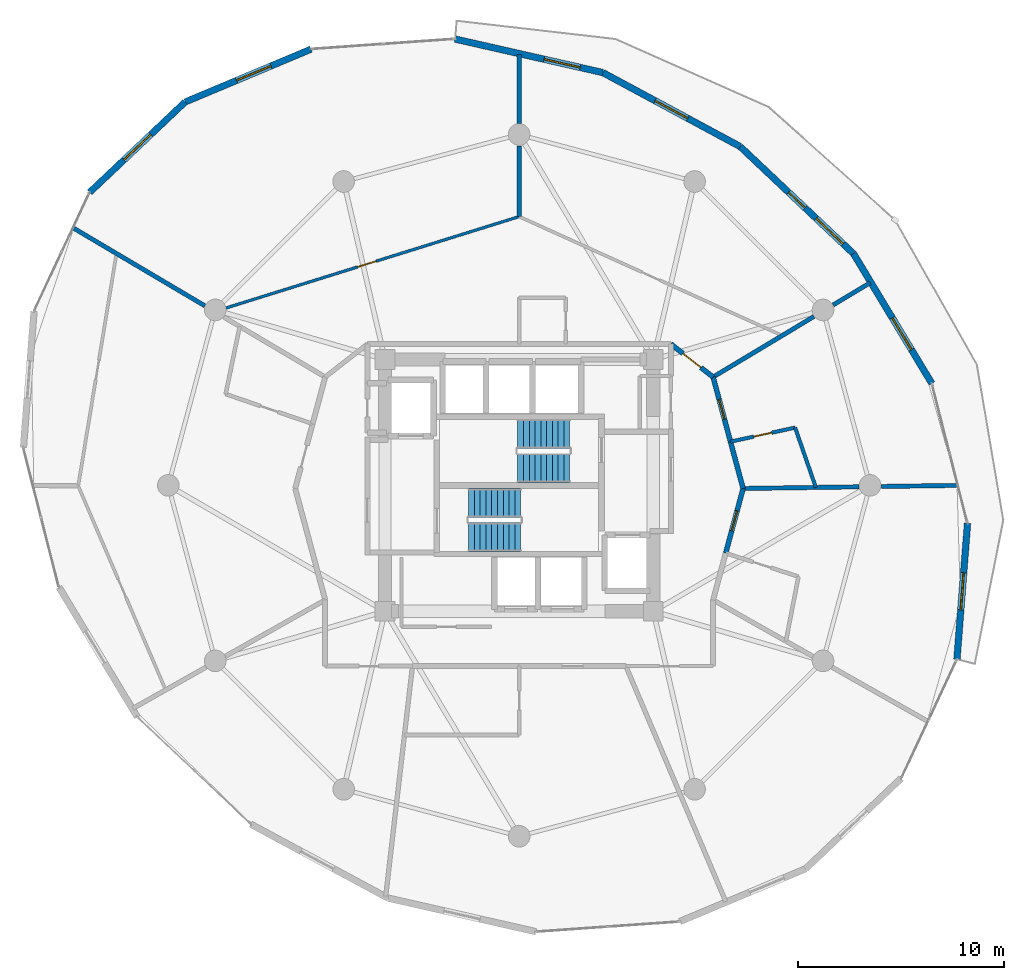
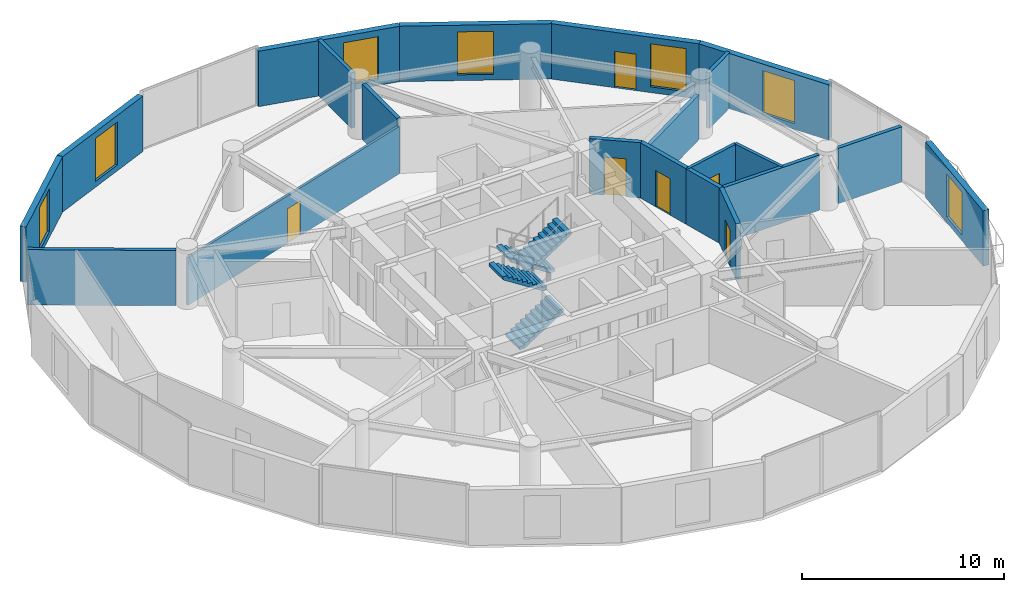
# One storey, part 22 of 25: 21 walls, 7 windows, 6 doors, 4 stair flights, 13 openings, 2 elements without a shape of their own.
"""IFC4 building model written with IfcOpenShell, lengths in metres."""

from ifc_helpers import new_model, si_unit, direction, frame, frame_2d, origin, place, context, subcontext, project, spatial, polyline, rectangle, outline, extrude, material, layer, layer_set, type_object, element, fill, aggregate, save


model = new_model("IFC4")

# Units and contexts
model_context = context("Model", 3, precision=1e-05, world=origin(), true_north=direction((0.0, 1.0)))
body_context = subcontext(model_context, "Body", "Model", "MODEL_VIEW")
ifc_project = project(units=[si_unit("LENGTHUNIT", "METRE"), si_unit("AREAUNIT", "SQUARE_METRE"), si_unit("VOLUMEUNIT", "CUBIC_METRE"), si_unit("PLANEANGLEUNIT", "RADIAN"), si_unit("MASSUNIT", "GRAM", prefix="KILO")], contexts=[model_context])

# Site, building, storey
site_placement = place(None, origin())
site = spatial("IfcSite", under=ifc_project, at=site_placement, CompositionType="ELEMENT")
building_placement = place(site_placement, origin())
building = spatial("IfcBuilding", under=site, at=building_placement, Name="Solvirekh Grand Hotel", CompositionType="ELEMENT")
storey_placement = place(building_placement, frame((0.0, 0.0, 120.60009765625)))
storey = spatial("IfcBuildingStorey", under=building, at=storey_placement, Name="L30", CompositionType="ELEMENT", Elevation=120.60009765625)

# Wall, opening, window
ifc_material_1 = material(Name="Precast concrete C45/55", Category="concrete")
ifc_layer_1 = layer(ifc_material_1, 0.320068359375)
ifc_layer_set_1 = layer_set([ifc_layer_1], Name="Precast concrete C45/55")
wall_type_1 = type_object("IfcWallType", Name="ExtLobbyWall_RC320", PredefinedType="SOLIDWALL", material=ifc_layer_set_1)
wall_1_placement = place(storey_placement, frame((21.722900390625, -1.837890625, 0.0), z_axis=(0.0, 0.0, 1.0), x_axis=(-0.077566011703, -0.996987218488, 0.0)))
wall_1 = element("IfcWall", 1, at=wall_1_placement, inside=storey, type_object=wall_type_1, Name="L30 exterior structural wall chord 2", PredefinedType="SOLIDWALL", context=body_context, shape_type="SweptSolid", body=[
    extrude(rectangle(XDim=6.613037109375, YDim=0.320068359375, at=frame_2d((3.306640625, 0.0))), origin(), (0.0, 0.0, 1.0), 3.349853515625),
])
opening_1_placement = place(wall_1_placement, frame((2.406005859375, 0.0, 0.35009765625)))
opening_1 = element("IfcOpeningElement", 2, at=opening_1_placement, cuts=wall_1, Name="Opening W02", PredefinedType="OPENING", context=body_context, shape_type="SweptSolid", body=[
    extrude(rectangle(XDim=1.800048828125, YDim=2.60009765625, at=frame_2d((0.89990234375, 1.300048828125))), frame((0.0, 0.169921875, 0.0), z_axis=(0.0, -1.0, 0.0), x_axis=(1.0, 0.0, 0.0)), (0.0, 0.0, 1.0), 0.340087890625),
])
ifc_material_2 = material(Name="Low-E Tinted Bronze Laminated Glass", Category="aluminium")
window_type = type_object("IfcWindowType", Name="Win_LobbyExt_1800X2600", PartitioningType="SINGLE_PANEL", PredefinedType="WINDOW", material=ifc_material_2)
window_1_placement = place(opening_1_placement, origin())
window_1 = element("IfcWindow", 3, at=window_1_placement, inside=storey, type_object=window_type, Name="L30 panoramic bronze-framed window 2", OverallHeight=2.60009765625, OverallWidth=1.800048828125, PartitioningType="SINGLE_PANEL", PredefinedType="WINDOW", context=body_context, shape_type="SweptSolid", body=[
    extrude(rectangle(XDim=1.800048828125, YDim=2.60009765625, at=frame_2d((0.89990234375, 1.300048828125))), frame((0.0, 0.030029296875, 0.0), z_axis=(0.0, -1.0, 0.0), x_axis=(1.0, 0.0, 0.0)), (0.0, 0.0, 1.0), 0.06005859375),
])
fill(opening_1, window_1)

wall_2_placement = place(storey_placement, frame((16.200927734375, 11.22509765625, 0.0), z_axis=(0.0, 0.0, 1.0), x_axis=(0.516707807554, -0.856161808079, 0.0)))
wall_2 = element("IfcWall", 4, at=wall_2_placement, inside=storey, type_object=wall_type_1, Name="L30 exterior structural wall chord 4", PredefinedType="SOLIDWALL", context=body_context, shape_type="SweptSolid", body=[
    extrude(rectangle(XDim=7.3466796875, YDim=0.320068359375, at=frame_2d((3.67333984375, 0.0))), origin(), (0.0, 0.0, 1.0), 3.349853515625),
])
opening_2_placement = place(wall_2_placement, frame((3.634033203125, 0.0, 0.35009765625)))
opening_2 = element("IfcOpeningElement", 5, at=opening_2_placement, cuts=wall_2, Name="Opening W02", PredefinedType="OPENING", context=body_context, shape_type="SweptSolid", body=[
    extrude(rectangle(XDim=1.800048828125, YDim=2.60009765625, at=frame_2d((0.89990234375, 1.300048828125))), frame((0.0, 0.169921875, 0.0), z_axis=(0.0, -1.0, 0.0), x_axis=(1.0, 0.0, 0.0)), (0.0, 0.0, 1.0), 0.340087890625),
])
window_2_placement = place(opening_2_placement, origin())
window_2 = element("IfcWindow", 6, at=window_2_placement, inside=storey, type_object=window_type, Name="L30 panoramic bronze-framed window 4", OverallHeight=2.60009765625, OverallWidth=1.800048828125, PartitioningType="SINGLE_PANEL", PredefinedType="WINDOW", context=body_context, shape_type="SweptSolid", body=[
    extrude(rectangle(XDim=1.800048828125, YDim=2.60009765625, at=frame_2d((0.89990234375, 1.300048828125))), frame((0.0, 0.030029296875, 0.0), z_axis=(0.0, -1.0, 0.0), x_axis=(1.0, 0.0, 0.0)), (0.0, 0.0, 1.0), 0.06005859375),
])
fill(opening_2, window_2)

# Wall, openings, door, window
wall_3_placement = place(storey_placement, frame((10.70703125, 16.416015625, 0.0), z_axis=(0.0, 0.0, 1.0), x_axis=(0.726865331795, -0.686780015314, 0.0)))
wall_3 = element("IfcWall", 7, at=wall_3_placement, inside=storey, type_object=wall_type_1, Name="L30 exterior structural wall chord 5", PredefinedType="SOLIDWALL", context=body_context, shape_type="SweptSolid", body=[
    extrude(rectangle(XDim=7.558349609375, YDim=0.320068359375, at=frame_2d((3.779296875, 0.0))), origin(), (0.0, 0.0, 1.0), 3.349853515625),
])
opening_3_placement = place(wall_3_placement, frame((5.069091796875, 0.0, 0.35009765625)))
opening_3 = element("IfcOpeningElement", 8, at=opening_3_placement, cuts=wall_3, Name="Opening W02", PredefinedType="OPENING", context=body_context, shape_type="SweptSolid", body=[
    extrude(rectangle(XDim=1.800048828125, YDim=2.60009765625, at=frame_2d((0.89990234375, 1.300048828125))), frame((0.0, 0.169921875, 0.0), z_axis=(0.0, -1.0, 0.0), x_axis=(1.0, 0.0, 0.0)), (0.0, 0.0, 1.0), 0.340087890625),
])
opening_4_placement = place(wall_3_placement, frame((3.22900390625, 0.0, 0.0)))
opening_4 = element("IfcOpeningElement", 9, at=opening_4_placement, cuts=wall_3, Name="Opening D03", PredefinedType="OPENING", context=body_context, shape_type="SweptSolid", body=[
    extrude(rectangle(XDim=1.10009765625, YDim=2.199951171875, at=frame_2d((0.550048828125, 1.10009765625))), frame((0.0, 0.169921875, 0.0), z_axis=(0.0, -1.0, 0.0), x_axis=(1.0, 0.0, 0.0)), (0.0, 0.0, 1.0), 0.340087890625),
])
ifc_material_3 = material(Name="Anodized Bronze Aluminium 6063-T6", Category="aluminium")
door_type_1 = type_object("IfcDoorType", Name="Door_ExtBalcony_1100X2200", OperationType="NOTDEFINED", PredefinedType="DOOR", material=ifc_material_3)
door_1_placement = place(opening_4_placement, origin())
door_1 = element("IfcDoor", 10, at=door_1_placement, inside=storey, type_object=door_type_1, Name="L30 Crescent balcony glazed door (5)", OperationType="SINGLE_SWING_LEFT", OverallHeight=2.199951171875, OverallWidth=1.10009765625, PredefinedType="DOOR", context=body_context, shape_type="SweptSolid", body=[
    extrude(rectangle(XDim=1.10009765625, YDim=2.199951171875, at=frame_2d((0.550048828125, 1.10009765625))), frame((0.0, 0.02490234375, 0.0), z_axis=(0.0, -1.0, 0.0), x_axis=(1.0, 0.0, 0.0)), (0.0, 0.0, 1.0), 0.050048828125),
])
fill(opening_4, door_1)
window_3_placement = place(opening_3_placement, origin())
window_3 = element("IfcWindow", 11, at=window_3_placement, inside=storey, type_object=window_type, Name="L30 exterior side window 5", OverallHeight=2.60009765625, OverallWidth=1.800048828125, PartitioningType="SINGLE_PANEL", PredefinedType="WINDOW", context=body_context, shape_type="SweptSolid", body=[
    extrude(rectangle(XDim=1.800048828125, YDim=2.60009765625, at=frame_2d((0.89990234375, 1.300048828125))), frame((0.0, 0.030029296875, 0.0), z_axis=(0.0, -1.0, 0.0), x_axis=(1.0, 0.0, 0.0)), (0.0, 0.0, 1.0), 0.06005859375),
])
fill(opening_3, window_3)

# Wall, opening, window
wall_4_placement = place(storey_placement, frame((4.052001953125, 20.0, 0.0), z_axis=(0.0, 0.0, 1.0), x_axis=(0.880443095894, -0.474151826836, 0.0)))
wall_4 = element("IfcWall", 12, at=wall_4_placement, inside=storey, type_object=wall_type_1, Name="L30 exterior structural wall chord 6", PredefinedType="SOLIDWALL", context=body_context, shape_type="SweptSolid", body=[
    extrude(rectangle(XDim=7.558837890625, YDim=0.320068359375, at=frame_2d((3.779296875, 0.0))), origin(), (0.0, 0.0, 1.0), 3.349853515625),
])
opening_5_placement = place(wall_4_placement, frame((2.87890625, 0.0, 0.35009765625)))
opening_5 = element("IfcOpeningElement", 13, at=opening_5_placement, cuts=wall_4, Name="Opening W02", PredefinedType="OPENING", context=body_context, shape_type="SweptSolid", body=[
    extrude(rectangle(XDim=1.800048828125, YDim=2.60009765625, at=frame_2d((0.89990234375, 1.300048828125))), frame((0.0, 0.169921875, 0.0), z_axis=(0.0, -1.0, 0.0), x_axis=(1.0, 0.0, 0.0)), (0.0, 0.0, 1.0), 0.340087890625),
])
window_4_placement = place(opening_5_placement, origin())
window_4 = element("IfcWindow", 14, at=window_4_placement, inside=storey, type_object=window_type, Name="L30 panoramic bronze-framed window 6", OverallHeight=2.60009765625, OverallWidth=1.800048828125, PartitioningType="SINGLE_PANEL", PredefinedType="WINDOW", context=body_context, shape_type="SweptSolid", body=[
    extrude(rectangle(XDim=1.800048828125, YDim=2.60009765625, at=frame_2d((0.89990234375, 1.300048828125))), frame((0.0, 0.030029296875, 0.0), z_axis=(0.0, -1.0, 0.0), x_axis=(1.0, 0.0, 0.0)), (0.0, 0.0, 1.0), 0.06005859375),
])
fill(opening_5, window_4)

wall_5_placement = place(storey_placement, frame((-3.113037109375, 21.626953125, 0.0), z_axis=(0.0, 0.0, 1.0), x_axis=(0.975175922812, -0.22143152343, 0.0)))
wall_5 = element("IfcWall", 15, at=wall_5_placement, inside=storey, type_object=wall_type_1, Name="L30 exterior structural wall chord 7", PredefinedType="SOLIDWALL", context=body_context, shape_type="SweptSolid", body=[
    extrude(rectangle(XDim=7.347412109375, YDim=0.320068359375, at=frame_2d((3.673828125, 0.0))), origin(), (0.0, 0.0, 1.0), 3.349853515625),
])
opening_6_placement = place(wall_5_placement, frame((4.424072265625, 0.0, 0.35009765625)))
opening_6 = element("IfcOpeningElement", 16, at=opening_6_placement, cuts=wall_5, Name="Opening W02", PredefinedType="OPENING", context=body_context, shape_type="SweptSolid", body=[
    extrude(rectangle(XDim=1.800048828125, YDim=2.60009765625, at=frame_2d((0.89990234375, 1.300048828125))), frame((0.0, 0.169921875, 0.0), z_axis=(0.0, -1.0, 0.0), x_axis=(1.0, 0.0, 0.0)), (0.0, 0.0, 1.0), 0.340087890625),
])
window_5_placement = place(opening_6_placement, origin())
window_5 = element("IfcWindow", 17, at=window_5_placement, inside=storey, type_object=window_type, Name="L30 panoramic bronze-framed window 7", OverallHeight=2.60009765625, OverallWidth=1.800048828125, PartitioningType="SINGLE_PANEL", PredefinedType="WINDOW", context=body_context, shape_type="SweptSolid", body=[
    extrude(rectangle(XDim=1.800048828125, YDim=2.60009765625, at=frame_2d((0.89990234375, 1.300048828125))), frame((0.0, 0.030029296875, 0.0), z_axis=(0.0, -1.0, 0.0), x_axis=(1.0, 0.0, 0.0)), (0.0, 0.0, 1.0), 0.06005859375),
])
fill(opening_6, window_5)

wall_6_placement = place(storey_placement, frame((-16.181884765625, 18.576904296875, 0.0), z_axis=(0.0, 0.0, 1.0), x_axis=(0.922069875261, 0.387023442618, 0.0)))
wall_6 = element("IfcWall", 18, at=wall_6_placement, inside=storey, type_object=wall_type_1, Name="L30 exterior structural wall chord 9", PredefinedType="SOLIDWALL", context=body_context, shape_type="SweptSolid", body=[
    extrude(rectangle(XDim=6.6123046875, YDim=0.320068359375, at=frame_2d((3.30615234375, 0.0))), origin(), (0.0, 0.0, 1.0), 3.349853515625),
])
opening_7_placement = place(wall_6_placement, frame((2.699951171875, 0.0, 0.35009765625)))
opening_7 = element("IfcOpeningElement", 19, at=opening_7_placement, cuts=wall_6, Name="Opening W02", PredefinedType="OPENING", context=body_context, shape_type="SweptSolid", body=[
    extrude(rectangle(XDim=1.800048828125, YDim=2.60009765625, at=frame_2d((0.89990234375, 1.300048828125))), frame((0.0, 0.169921875, 0.0), z_axis=(0.0, -1.0, 0.0), x_axis=(1.0, 0.0, 0.0)), (0.0, 0.0, 1.0), 0.340087890625),
])
window_6_placement = place(opening_7_placement, origin())
window_6 = element("IfcWindow", 20, at=window_6_placement, inside=storey, type_object=window_type, Name="L30 panoramic bronze-framed window 9", OverallHeight=2.60009765625, OverallWidth=1.800048828125, PartitioningType="SINGLE_PANEL", PredefinedType="WINDOW", context=body_context, shape_type="SweptSolid", body=[
    extrude(rectangle(XDim=1.800048828125, YDim=2.60009765625, at=frame_2d((0.89990234375, 1.300048828125))), frame((0.0, 0.030029296875, 0.0), z_axis=(0.0, -1.0, 0.0), x_axis=(1.0, 0.0, 0.0)), (0.0, 0.0, 1.0), 0.06005859375),
])
fill(opening_7, window_6)

wall_7_placement = place(storey_placement, frame((-20.80810546875, 14.198974609375, 0.0), z_axis=(0.0, 0.0, 1.0), x_axis=(0.726329279492, 0.68734691223, 0.0)))
wall_7 = element("IfcWall", 21, at=wall_7_placement, inside=storey, type_object=wall_type_1, Name="L30 exterior structural wall chord 10", PredefinedType="SOLIDWALL", context=body_context, shape_type="SweptSolid", body=[
    extrude(rectangle(XDim=6.369384765625, YDim=0.320068359375, at=frame_2d((3.1845703125, 0.0))), origin(), (0.0, 0.0, 1.0), 3.349853515625),
])
opening_8_placement = place(wall_7_placement, frame((2.284912109375, 0.0, 0.35009765625)))
opening_8 = element("IfcOpeningElement", 22, at=opening_8_placement, cuts=wall_7, Name="Opening W02", PredefinedType="OPENING", context=body_context, shape_type="SweptSolid", body=[
    extrude(rectangle(XDim=1.800048828125, YDim=2.60009765625, at=frame_2d((0.89990234375, 1.300048828125))), frame((0.0, 0.169921875, 0.0), z_axis=(0.0, -1.0, 0.0), x_axis=(1.0, 0.0, 0.0)), (0.0, 0.0, 1.0), 0.340087890625),
])
window_7_placement = place(opening_8_placement, origin())
window_7 = element("IfcWindow", 23, at=window_7_placement, inside=storey, type_object=window_type, Name="L30 panoramic bronze-framed window 10", OverallHeight=2.60009765625, OverallWidth=1.800048828125, PartitioningType="SINGLE_PANEL", PredefinedType="WINDOW", context=body_context, shape_type="SweptSolid", body=[
    extrude(rectangle(XDim=1.800048828125, YDim=2.60009765625, at=frame_2d((0.89990234375, 1.300048828125))), frame((0.0, 0.030029296875, 0.0), z_axis=(0.0, -1.0, 0.0), x_axis=(1.0, 0.0, 0.0)), (0.0, 0.0, 1.0), 0.06005859375),
])
fill(opening_8, window_7)

# Wall, opening, door
ifc_material_4 = material(Name="Acoustic Gypsum Partition Assembly")
ifc_layer_2 = layer(ifc_material_4, 0.239990234375)
ifc_layer_set_2 = layer_set([ifc_layer_2], Name="Acoustic Gypsum Partition Assembly")
wall_type_2 = type_object("IfcWallType", Name="Part_Corridor_240", PredefinedType="PARTITIONING", material=ifc_layer_set_2)
wall_8_placement = place(storey_placement, frame((7.35009765625, 6.85009765625, 0.0), z_axis=(0.0, 0.0, 1.0), x_axis=(0.7876993483, -0.6160598483, 0.0)))
wall_8 = element("IfcWall", 24, at=wall_8_placement, inside=storey, type_object=wall_type_2, Name="L30 Panorama Suite 3201 Inner Suite Lounge entrance wall", PredefinedType="PARTITIONING", context=body_context, shape_type="SweptSolid", body=[
    extrude(rectangle(XDim=2.597412109375, YDim=0.239990234375, at=frame_2d((1.298828125, 0.0))), origin(), (0.0, 0.0, 1.0), 3.349853515625),
])
opening_9_placement = place(wall_8_placement, frame((0.7490234375, 0.0, 0.0)))
opening_9 = element("IfcOpeningElement", 25, at=opening_9_placement, cuts=wall_8, Name="Opening D08", PredefinedType="OPENING", context=body_context, shape_type="SweptSolid", body=[
    extrude(rectangle(XDim=1.10009765625, YDim=2.300048828125, at=frame_2d((0.550048828125, 1.14990234375))), frame((0.0, 0.1298828125, 0.0), z_axis=(0.0, -1.0, 0.0), x_axis=(1.0, 0.0, 0.0)), (0.0, 0.0, 1.0), 0.260009765625),
])
ifc_material_5 = material(Name="Fire-Rated Steel Door Assembly", Category="steel")
door_type_2 = type_object("IfcDoorType", Name="Door_SuiteEntry_1100X2300", OperationType="NOTDEFINED", PredefinedType="DOOR", material=ifc_material_5)
door_2_placement = place(opening_9_placement, origin())
door_2 = element("IfcDoor", 26, at=door_2_placement, inside=storey, type_object=door_type_2, Name="L30 Panorama Suite 3201 Inner Suite Lounge entrance door", OperationType="SINGLE_SWING_RIGHT", OverallHeight=2.300048828125, OverallWidth=1.10009765625, PredefinedType="DOOR", context=body_context, shape_type="SweptSolid", body=[
    extrude(rectangle(XDim=1.10009765625, YDim=2.300048828125, at=frame_2d((0.550048828125, 1.14990234375))), frame((0.0, 0.02490234375, 0.0), z_axis=(0.0, -1.0, 0.0), x_axis=(1.0, 0.0, 0.0)), (0.0, 0.0, 1.0), 0.050048828125),
])
fill(opening_9, door_2)

wall_9_placement = place(storey_placement, frame((10.007080078125, -3.281982421875, 0.0), z_axis=(0.0, 0.0, 1.0), x_axis=(0.259905989708, 0.965633924691, 0.0)))
wall_9 = element("IfcWall", 27, at=wall_9_placement, inside=storey, type_object=wall_type_2, Name="L30 Deluxe Guestroom 3203 entrance wall", PredefinedType="PARTITIONING", context=body_context, shape_type="SweptSolid", body=[
    extrude(rectangle(XDim=3.24365234375, YDim=0.239990234375, at=frame_2d((1.621826171875, 0.0))), origin(), (0.0, 0.0, 1.0), 3.349853515625),
])
opening_10_placement = place(wall_9_placement, frame((1.1220703125, 0.0, 0.0)))
opening_10 = element("IfcOpeningElement", 28, at=opening_10_placement, cuts=wall_9, Name="Opening D07", PredefinedType="OPENING", context=body_context, shape_type="SweptSolid", body=[
    extrude(rectangle(XDim=1.0, YDim=2.199951171875, at=frame_2d((0.5, 1.10009765625))), frame((0.0, 0.1298828125, 0.0), z_axis=(0.0, -1.0, 0.0), x_axis=(1.0, 0.0, 0.0)), (0.0, 0.0, 1.0), 0.260009765625),
])
door_type_3 = type_object("IfcDoorType", Name="Door_GuestEntry_1000X2200", OperationType="NOTDEFINED", PredefinedType="DOOR", material=ifc_material_5)
door_3_placement = place(opening_10_placement, origin())
door_3 = element("IfcDoor", 29, at=door_3_placement, inside=storey, type_object=door_type_3, Name="L30 Deluxe Guestroom 3203 entrance door", OperationType="SINGLE_SWING_RIGHT", OverallHeight=2.199951171875, OverallWidth=1.0, PredefinedType="DOOR", context=body_context, shape_type="SweptSolid", body=[
    extrude(rectangle(XDim=1.0, YDim=2.199951171875, at=frame_2d((0.5, 1.10009765625))), frame((0.0, 0.02490234375, 0.0), z_axis=(0.0, -1.0, 0.0), x_axis=(1.0, 0.0, 0.0)), (0.0, 0.0, 1.0), 0.050048828125),
])
fill(opening_10, door_3)

# Wall
wall_10_placement = place(storey_placement, frame((10.85009765625, -0.14990234375, 0.0), z_axis=(0.0, 0.0, 1.0), x_axis=(-0.260178493416, 0.965560537493, 0.0)))
element("IfcWall", 30, at=wall_10_placement, inside=storey, type_object=wall_type_2, Name="L30 En-suite Bathroom 3204 corridor backing wall", PredefinedType="PARTITIONING", context=body_context, shape_type="SweptSolid", body=[
    extrude(rectangle(XDim=2.3486328125, YDim=0.239990234375, at=frame_2d((1.17431640625, 0.0))), origin(), (0.0, 0.0, 1.0), 3.349853515625),
])

# Wall, opening, door
wall_11_placement = place(storey_placement, frame((10.239013671875, 2.117919921875, 0.0), z_axis=(0.0, 0.0, 1.0), x_axis=(-0.259905989708, 0.965633924691, 0.0)))
wall_11 = element("IfcWall", 31, at=wall_11_placement, inside=storey, type_object=wall_type_2, Name="L30 Deluxe Guestroom 3204 entrance wall", PredefinedType="PARTITIONING", context=body_context, shape_type="SweptSolid", body=[
    extrude(rectangle(XDim=3.24365234375, YDim=0.239990234375, at=frame_2d((1.621826171875, 0.0))), origin(), (0.0, 0.0, 1.0), 3.349853515625),
])
opening_11_placement = place(wall_11_placement, frame((1.1220703125, 0.0, 0.0)))
opening_11 = element("IfcOpeningElement", 32, at=opening_11_placement, cuts=wall_11, Name="Opening D07", PredefinedType="OPENING", context=body_context, shape_type="SweptSolid", body=[
    extrude(rectangle(XDim=1.0, YDim=2.199951171875, at=frame_2d((0.5, 1.10009765625))), frame((0.0, 0.1298828125, 0.0), z_axis=(0.0, -1.0, 0.0), x_axis=(1.0, 0.0, 0.0)), (0.0, 0.0, 1.0), 0.260009765625),
])
door_4_placement = place(opening_11_placement, origin())
door_4 = element("IfcDoor", 33, at=door_4_placement, inside=storey, type_object=door_type_3, Name="L30 Deluxe Guestroom 3204 entrance door", OperationType="SINGLE_SWING_RIGHT", OverallHeight=2.199951171875, OverallWidth=1.0, PredefinedType="DOOR", context=body_context, shape_type="SweptSolid", body=[
    extrude(rectangle(XDim=1.0, YDim=2.199951171875, at=frame_2d((0.5, 1.10009765625))), frame((0.0, 0.02490234375, 0.0), z_axis=(0.0, -1.0, 0.0), x_axis=(1.0, 0.0, 0.0)), (0.0, 0.0, 1.0), 0.050048828125),
])
fill(opening_11, door_4)

ifc_layer_3 = layer(ifc_material_4, 0.135009765625)
ifc_layer_set_3 = layer_set([ifc_layer_3], Name="Acoustic Gypsum Partition Assembly")
wall_type_3 = type_object("IfcWallType", Name="Part_RoomInt_135", PredefinedType="PARTITIONING", material=ifc_layer_set_3)
wall_12_placement = place(storey_placement, frame((-14.757080078125, 8.422119140625, 0.0), z_axis=(0.0, 0.0, 1.0), x_axis=(0.954677897028, 0.297640912722, 0.0)))
wall_12 = element("IfcWall", 34, at=wall_12_placement, inside=storey, type_object=wall_type_3, Name="L30 Panorama Suite 3201 Observatory Library bedroom screen wall", PredefinedType="PARTITIONING", context=body_context, shape_type="SweptSolid", body=[
    extrude(rectangle(XDim=15.457763671875, YDim=0.135009765625, at=frame_2d((7.72900390625, 0.0))), origin(), (0.0, 0.0, 1.0), 2.8779296875),
])
opening_12_placement = place(wall_12_placement, frame((7.25390625, 0.0, 0.0)))
opening_12 = element("IfcOpeningElement", 35, at=opening_12_placement, cuts=wall_12, Name="Opening D10", PredefinedType="OPENING", context=body_context, shape_type="SweptSolid", body=[
    extrude(rectangle(XDim=0.949951171875, YDim=2.10009765625, at=frame_2d((0.47509765625, 1.050048828125))), frame((0.0, 0.07763671875, 0.0), z_axis=(0.0, -1.0, 0.0), x_axis=(1.0, 0.0, 0.0)), (0.0, 0.0, 1.0), 0.155029296875),
])
door_type_4 = type_object("IfcDoorType", Name="Door_RoomInt_950X2100", OperationType="NOTDEFINED", PredefinedType="DOOR", material=ifc_material_3)
door_5_placement = place(opening_12_placement, origin())
door_5 = element("IfcDoor", 36, at=door_5_placement, inside=storey, type_object=door_type_4, Name="L30 Panorama Suite 3201 Observatory Library master bedroom door", OperationType="SINGLE_SWING_RIGHT", OverallHeight=2.10009765625, OverallWidth=0.949951171875, PredefinedType="DOOR", context=body_context, shape_type="SweptSolid", body=[
    extrude(rectangle(XDim=0.949951171875, YDim=2.10009765625, at=frame_2d((0.47509765625, 1.050048828125))), frame((0.0, 0.02490234375, 0.0), z_axis=(0.0, -1.0, 0.0), x_axis=(1.0, 0.0, 0.0)), (0.0, 0.0, 1.0), 0.050048828125),
])
fill(opening_12, door_5)

# Walls
ifc_layer_4 = layer(ifc_material_4, 0.2099609375)
ifc_layer_set_4 = layer_set([ifc_layer_4], Name="Acoustic Gypsum Partition Assembly")
wall_type_4 = type_object("IfcWallType", Name="Part_SuiteDemise_210", PredefinedType="PARTITIONING", material=ifc_layer_set_4)
wall_13_placement = place(storey_placement, frame((10.85009765625, -0.14990234375, 0.0), z_axis=(0.0, 0.0, 1.0), x_axis=(0.999896226814, 0.014406096068, 0.0)))
element("IfcWall", 37, at=wall_13_placement, inside=storey, type_object=wall_type_4, Name="L30 suite radial wall 1 (A)", PredefinedType="PARTITIONING", context=body_context, shape_type="SweptSolid", body=[
    extrude(rectangle(XDim=5.609375, YDim=0.2099609375, at=frame_2d((2.8046875, 0.0))), origin(), (0.0, 0.0, 1.0), 3.349853515625),
])
wall_14_placement = place(storey_placement, frame((17.5419921875, -0.052978515625, 0.0), z_axis=(0.0, 0.0, 1.0), x_axis=(0.999895999044, 0.01442189643, 0.0)))
element("IfcWall", 38, at=wall_14_placement, inside=storey, type_object=wall_type_4, Name="L30 suite radial wall 1 (B)", PredefinedType="PARTITIONING", context=body_context, shape_type="SweptSolid", body=[
    extrude(rectangle(XDim=3.673583984375, YDim=0.2099609375, at=frame_2d((1.8369140625, 0.0))), origin(), (0.0, 0.0, 1.0), 3.349853515625),
])
wall_15_placement = place(storey_placement, frame((9.39599609375, 5.25, 0.0), z_axis=(0.0, 0.0, 1.0), x_axis=(0.857379456535, 0.514684823471, 0.0)))
element("IfcWall", 39, at=wall_15_placement, inside=storey, type_object=wall_type_4, Name="L30 suite radial wall 2 (A)", PredefinedType="PARTITIONING", context=body_context, shape_type="SweptSolid", body=[
    extrude(rectangle(XDim=5.696533203125, YDim=0.2099609375, at=frame_2d((2.84814453125, 0.0))), origin(), (0.0, 0.0, 1.0), 2.718994140625),
])
wall_16_placement = place(storey_placement, frame((15.2109375, 8.740966796875, 0.0), z_axis=(0.0, 0.0, 1.0), x_axis=(0.857462017951, 0.514547264857, 0.0)))
element("IfcWall", 40, at=wall_16_placement, inside=storey, type_object=wall_type_4, Name="L30 suite radial wall 2 (B)", PredefinedType="PARTITIONING", context=body_context, shape_type="SweptSolid", body=[
    extrude(rectangle(XDim=2.091064453125, YDim=0.2099609375, at=frame_2d((1.04541015625, 0.0))), origin(), (0.0, 0.0, 1.0), 3.349853515625),
])
wall_17_placement = place(storey_placement, frame((-15.22802734375, 8.700927734375, 0.0), z_axis=(0.0, 0.0, 1.0), x_axis=(-0.860620773238, 0.509246388962, 0.0)))
element("IfcWall", 41, at=wall_17_placement, inside=storey, type_object=wall_type_4, Name="L30 suite radial wall 6 (B)", PredefinedType="PARTITIONING", context=body_context, shape_type="SweptSolid", body=[
    extrude(rectangle(XDim=7.379638671875, YDim=0.2099609375, at=frame_2d((3.68994140625, 0.0))), origin(), (0.0, 0.0, 1.0), 3.349853515625),
])
wall_18_placement = place(storey_placement, frame((0.0, 13.02294921875, 0.0), z_axis=(0.0, 0.0, 1.0), x_axis=(0.0, 1.0, 0.0)))
element("IfcWall", 42, at=wall_18_placement, inside=storey, type_object=wall_type_4, Name="L30 Panorama Suite 3201 North Sitting Room dividing partition 1 (A)", PredefinedType="PARTITIONING", context=body_context, shape_type="SweptSolid", body=[
    extrude(rectangle(XDim=3.43212890625, YDim=0.2099609375, at=frame_2d((1.716064453125, 0.0))), origin(), (0.0, 0.0, 1.0), 3.349853515625),
])
wall_19_placement = place(storey_placement, frame((0.0, 17.544921875, 0.0), z_axis=(0.0, 0.0, 1.0), x_axis=(0.0, 1.0, 0.0)))
element("IfcWall", 43, at=wall_19_placement, inside=storey, type_object=wall_type_4, Name="L30 Panorama Suite 3201 North Sitting Room dividing partition 1 (B)", PredefinedType="PARTITIONING", context=body_context, shape_type="SweptSolid", body=[
    extrude(rectangle(XDim=3.3349609375, YDim=0.2099609375, at=frame_2d((1.66748046875, 0.0))), origin(), (0.0, 0.0, 1.0), 3.349853515625),
])
ifc_layer_5 = layer(ifc_material_4, 0.175048828125)
ifc_layer_set_5 = layer_set([ifc_layer_5], Name="Acoustic Gypsum Partition Assembly")
wall_type_5 = type_object("IfcWallType", Name="Plumb_Ensuite_175", PredefinedType="PLUMBINGWALL", material=ifc_layer_set_5)
wall_20_placement = place(storey_placement, frame((14.3740234375, -0.09912109375, 0.0), z_axis=(0.0, 0.0, 1.0), x_axis=(-0.327566891518, 0.944827990473, 0.0)))
element("IfcWall", 44, at=wall_20_placement, inside=storey, type_object=wall_type_5, Name="L30 En-suite Bathroom 3204 outer plumbing wall", PredefinedType="PLUMBINGWALL", context=body_context, shape_type="SweptSolid", body=[
    extrude(rectangle(XDim=3.068359375, YDim=0.175048828125, at=frame_2d((1.5341796875, 0.0))), origin(), (0.0, 0.0, 1.0), 3.349853515625),
])

# Wall, opening, door
wall_21_placement = place(storey_placement, frame((10.239013671875, 2.117919921875, 0.0), z_axis=(0.0, 0.0, 1.0), x_axis=(0.977064797309, 0.212942203095, 0.0)))
wall_21 = element("IfcWall", 45, at=wall_21_placement, inside=storey, type_object=wall_type_5, Name="L30 En-suite Bathroom 3204 entry plumbing wall", PredefinedType="PLUMBINGWALL", context=body_context, shape_type="SweptSolid", body=[
    extrude(rectangle(XDim=3.203369140625, YDim=0.175048828125, at=frame_2d((1.6015625, 0.0))), origin(), (0.0, 0.0, 1.0), 3.349853515625),
])
opening_13_placement = place(wall_21_placement, frame((1.152099609375, 0.0, 0.0)))
opening_13 = element("IfcOpeningElement", 46, at=opening_13_placement, cuts=wall_21, Name="Opening D09", PredefinedType="OPENING", context=body_context, shape_type="SweptSolid", body=[
    extrude(rectangle(XDim=0.89990234375, YDim=2.10009765625, at=frame_2d((0.449951171875, 1.050048828125))), frame((0.0, 0.09765625, 0.0), z_axis=(0.0, -1.0, 0.0), x_axis=(1.0, 0.0, 0.0)), (0.0, 0.0, 1.0), 0.195068359375),
])
door_type_5 = type_object("IfcDoorType", Name="Door_Ensuite_900X2100", OperationType="NOTDEFINED", PredefinedType="DOOR", material=ifc_material_3)
door_6_placement = place(opening_13_placement, origin())
door_6 = element("IfcDoor", 47, at=door_6_placement, inside=storey, type_object=door_type_5, Name="L30 En-suite Bathroom 3204 door", OperationType="SINGLE_SWING_LEFT", OverallHeight=2.10009765625, OverallWidth=0.89990234375, PredefinedType="DOOR", context=body_context, shape_type="SweptSolid", body=[
    extrude(rectangle(XDim=0.89990234375, YDim=2.10009765625, at=frame_2d((0.449951171875, 1.050048828125))), frame((0.0, 0.02490234375, 0.0), z_axis=(0.0, -1.0, 0.0), x_axis=(1.0, 0.0, 0.0)), (0.0, 0.0, 1.0), 0.050048828125),
])
fill(opening_13, door_6)

# Stair, stair flights
ifc_material_6 = material(Name="Concrete C40/50", Category="concrete")
stair_type = type_object("IfcStairType", Name="Stair_Core_1450", PredefinedType="HALF_TURN_STAIR", material=ifc_material_6)
stair_1_placement = place(storey_placement, origin())
stair_1 = element("IfcStair", 48, at=stair_1_placement, inside=storey, type_object=stair_type, Name="L30 Enclosed exit stair ST-1", PredefinedType="HALF_TURN_STAIR")
stair_flight_type = type_object("IfcStairFlightType", Name="Flight_Core_1450", PredefinedType="STRAIGHT", material=ifc_material_6)
stair_flight_1_placement = place(storey_placement, frame((-2.449951171875, -2.5, 0.0), z_axis=(0.0, 0.0, 1.0), x_axis=(1.0, 0.0, 0.0)))
stair_flight_1 = element("IfcStairFlight", 49, at=stair_flight_1_placement, type_object=stair_flight_type, Name="ST-1 flight 1", NumberOfRisers=10, NumberOfTreads=9, PredefinedType="STRAIGHT", RiserHeight=0.18, TreadLength=0.28, context=body_context, shape_type="SweptSolid", body=[
    extrude(outline(polyline([(0.0, 0.0), (0.0, 0.179931640625), (0.280029296875, 0.179931640625), (0.280029296875, 0.360107421875), (0.56005859375, 0.360107421875), (0.56005859375, 0.5400390625), (0.840087890625, 0.5400390625), (0.840087890625, 0.719970703125), (1.1201171875, 0.719970703125), (1.1201171875, 0.89990234375), (1.39990234375, 0.89990234375), (1.39990234375, 1.080078125), (1.679931640625, 1.080078125), (1.679931640625, 1.260009765625), (1.9599609375, 1.260009765625), (1.9599609375, 1.43994140625), (2.239990234375, 1.43994140625), (2.239990234375, 1.6201171875), (2.52001953125, 1.6201171875), (2.52001953125, 1.800048828125), (2.52001953125, 1.44189453125), (0.277099609375, 0.0), (0.0, 0.0)])), frame((0.0, 0.699951171875, 0.0), z_axis=(0.0, -1.0, 0.0), x_axis=(1.0, 0.0, 0.0)), (0.0, 0.0, 1.0), 1.39990234375),
])
stair_flight_2_placement = place(storey_placement, frame((0.070068359375, -0.85009765625, 1.7998046875), z_axis=(0.0, 0.0, 1.0), x_axis=(-1.0, 0.0, 0.0)))
stair_flight_2 = element("IfcStairFlight", 50, at=stair_flight_2_placement, type_object=stair_flight_type, Name="ST-1 flight 2", NumberOfRisers=10, NumberOfTreads=9, PredefinedType="STRAIGHT", RiserHeight=0.18, TreadLength=0.28, context=body_context, shape_type="SweptSolid", body=[
    extrude(outline(polyline([(0.0, 0.0), (0.0, 0.179931640625), (0.280029296875, 0.179931640625), (0.280029296875, 0.360107421875), (0.56005859375, 0.360107421875), (0.56005859375, 0.5400390625), (0.840087890625, 0.5400390625), (0.840087890625, 0.719970703125), (1.1201171875, 0.719970703125), (1.1201171875, 0.89990234375), (1.39990234375, 0.89990234375), (1.39990234375, 1.080078125), (1.679931640625, 1.080078125), (1.679931640625, 1.260009765625), (1.9599609375, 1.260009765625), (1.9599609375, 1.43994140625), (2.239990234375, 1.43994140625), (2.239990234375, 1.6201171875), (2.52001953125, 1.6201171875), (2.52001953125, 1.800048828125), (2.52001953125, 1.44189453125), (0.277099609375, 0.0), (0.0, 0.0)])), frame((0.0, 0.699951171875, 0.0), z_axis=(0.0, -1.0, 0.0), x_axis=(1.0, 0.0, 0.0)), (0.0, 0.0, 1.0), 1.39990234375),
])
aggregate(stair_1, [stair_flight_1, stair_flight_2])

stair_2_placement = place(storey_placement, origin())
stair_2 = element("IfcStair", 51, at=stair_2_placement, inside=storey, type_object=stair_type, Name="L30 Enclosed exit stair ST-2", PredefinedType="HALF_TURN_STAIR")
stair_flight_3_placement = place(storey_placement, frame((2.449951171875, 2.5, 0.0), z_axis=(0.0, 0.0, 1.0), x_axis=(-1.0, 0.0, 0.0)))
stair_flight_3 = element("IfcStairFlight", 52, at=stair_flight_3_placement, type_object=stair_flight_type, Name="ST-2 flight 1", NumberOfRisers=10, NumberOfTreads=9, PredefinedType="STRAIGHT", RiserHeight=0.18, TreadLength=0.28, context=body_context, shape_type="SweptSolid", body=[
    extrude(outline(polyline([(0.0, 0.0), (0.0, 0.179931640625), (0.280029296875, 0.179931640625), (0.280029296875, 0.360107421875), (0.56005859375, 0.360107421875), (0.56005859375, 0.5400390625), (0.840087890625, 0.5400390625), (0.840087890625, 0.719970703125), (1.1201171875, 0.719970703125), (1.1201171875, 0.89990234375), (1.39990234375, 0.89990234375), (1.39990234375, 1.080078125), (1.679931640625, 1.080078125), (1.679931640625, 1.260009765625), (1.9599609375, 1.260009765625), (1.9599609375, 1.43994140625), (2.239990234375, 1.43994140625), (2.239990234375, 1.6201171875), (2.52001953125, 1.6201171875), (2.52001953125, 1.800048828125), (2.52001953125, 1.44189453125), (0.277099609375, 0.0), (0.0, 0.0)])), frame((0.0, 0.699951171875, 0.0), z_axis=(0.0, -1.0, 0.0), x_axis=(1.0, 0.0, 0.0)), (0.0, 0.0, 1.0), 1.39990234375),
])
stair_flight_4_placement = place(storey_placement, frame((-0.070068359375, 0.85009765625, 1.7998046875), z_axis=(0.0, 0.0, 1.0), x_axis=(1.0, 0.0, 0.0)))
stair_flight_4 = element("IfcStairFlight", 53, at=stair_flight_4_placement, type_object=stair_flight_type, Name="ST-2 flight 2", NumberOfRisers=10, NumberOfTreads=9, PredefinedType="STRAIGHT", RiserHeight=0.18, TreadLength=0.28, context=body_context, shape_type="SweptSolid", body=[
    extrude(outline(polyline([(0.0, 0.0), (0.0, 0.179931640625), (0.280029296875, 0.179931640625), (0.280029296875, 0.360107421875), (0.56005859375, 0.360107421875), (0.56005859375, 0.5400390625), (0.840087890625, 0.5400390625), (0.840087890625, 0.719970703125), (1.1201171875, 0.719970703125), (1.1201171875, 0.89990234375), (1.39990234375, 0.89990234375), (1.39990234375, 1.080078125), (1.679931640625, 1.080078125), (1.679931640625, 1.260009765625), (1.9599609375, 1.260009765625), (1.9599609375, 1.43994140625), (2.239990234375, 1.43994140625), (2.239990234375, 1.6201171875), (2.52001953125, 1.6201171875), (2.52001953125, 1.800048828125), (2.52001953125, 1.44189453125), (0.277099609375, 0.0), (0.0, 0.0)])), frame((0.0, 0.699951171875, 0.0), z_axis=(0.0, -1.0, 0.0), x_axis=(1.0, 0.0, 0.0)), (0.0, 0.0, 1.0), 1.39990234375),
])
aggregate(stair_2, [stair_flight_3, stair_flight_4])

save(model, "model.ifc")
